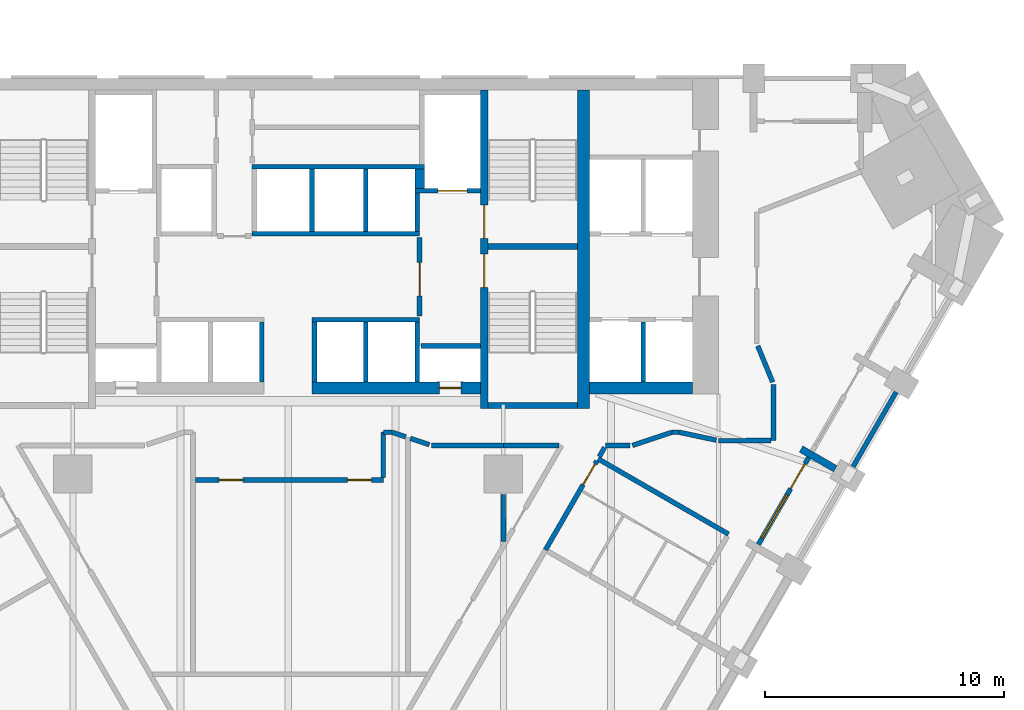
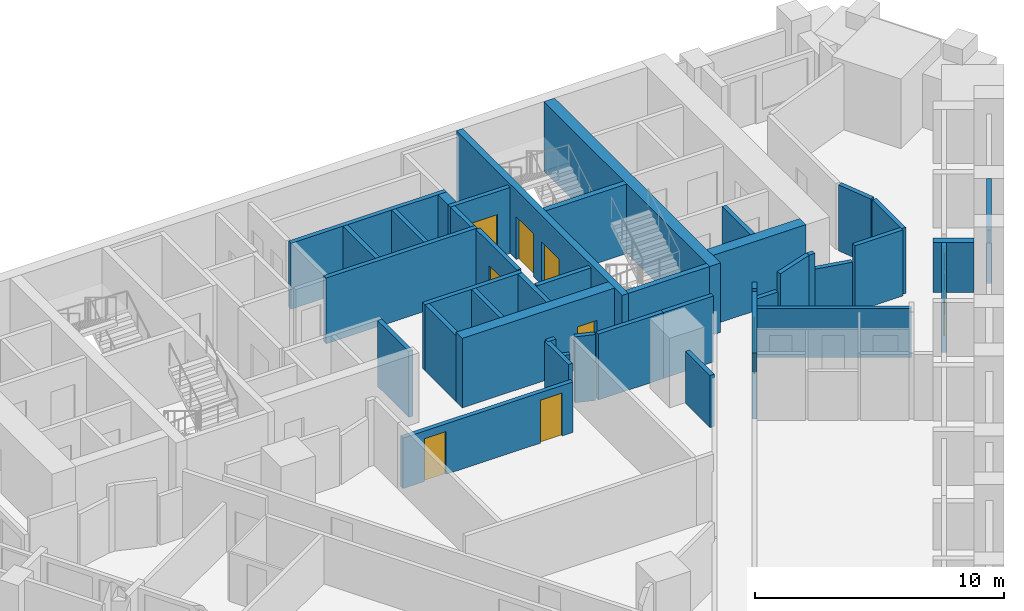
# One storey, part 7 of 10: 42 walls, 9 doors, 1 window, 10 openings.
"""IFC4 building model written with IfcOpenShell, lengths in metres."""

from ifc_helpers import new_model, si_unit, direction, frame, frame_2d, origin, place, context, subcontext, project, spatial, rectangle, extrude, material, layer, layer_set, type_object, element, fill, save


model = new_model("IFC4")

# Units and contexts
model_context = context("Model", 3, precision=1e-05, world=origin(), true_north=direction((0.0, 1.0)))
body_context = subcontext(model_context, "Body", "Model", "MODEL_VIEW")
ifc_project = project(units=[si_unit("LENGTHUNIT", "METRE"), si_unit("AREAUNIT", "SQUARE_METRE"), si_unit("VOLUMEUNIT", "CUBIC_METRE"), si_unit("PLANEANGLEUNIT", "RADIAN"), si_unit("MASSUNIT", "GRAM", prefix="KILO")], contexts=[model_context])

# Site, building, storey
site_placement = place(None, origin())
site = spatial("IfcSite", under=ifc_project, at=site_placement, CompositionType="ELEMENT")
building_placement = place(site_placement, origin())
building = spatial("IfcBuilding", under=site, at=building_placement, Name="Calabash Gate Tower", CompositionType="ELEMENT")
storey_placement = place(building_placement, frame((0.0, 0.0, 63.0)))
storey = spatial("IfcBuildingStorey", under=building, at=storey_placement, Name="L11", CompositionType="ELEMENT", Elevation=63.0)

# Walls
ifc_material_1 = material(Name="Terracotta brick masonry, exposed face", Category="masonry")
ifc_layer_1 = layer(ifc_material_1, 0.300048828125)
ifc_layer_set_1 = layer_set([ifc_layer_1], Name="Brick loggia cheek wall 300")
wall_type_1 = type_object("IfcWallType", Name="Brick loggia cheek wall 300", PredefinedType="SOLIDWALL", material=ifc_layer_set_1)
wall_1_placement = place(storey_placement, frame((22.879638671875, 2.723388671875, 0.0), z_axis=(0.0, 0.0, 1.0), x_axis=(-0.866040211805, 0.499974350878, 0.0)))
element("IfcWall", 1, at=wall_1_placement, inside=storey, type_object=wall_type_1, Name="Loggia cheek S02 SE2.8", PredefinedType="SOLIDWALL", context=body_context, shape_type="SweptSolid", body=[
    extrude(rectangle(XDim=1.64990234375, YDim=0.300048828125, at=frame_2d((0.824951171875, 0.0))), origin(), (0.0, 0.0, 1.0), 2.4501953125),
])
ifc_material_2 = material(Name="Concrete C80/95", Category="concrete")
ifc_layer_2 = layer(ifc_material_2, 0.25)
ifc_layer_set_2 = layer_set([ifc_layer_2], Name="Core wall 250 Concrete C80/95")
wall_type_2 = type_object("IfcWallType", Name="Core wall 250 Concrete C80/95", PredefinedType="SHEAR", material=ifc_layer_set_2)
for number, where, z_axis, x_axis, name in (
    (2, (8.35009765625, 12.027587890625, 0.0), (0.0, 0.0, 1.0), (1.0, 0.0, 0.0), "Core wall Z1-MIDE L11"),
    (3, (8.35009765625, 5.377685546875, 0.0), (0.0, 0.0, 1.0), (1.0, 0.0, 0.0), "Core wall Z1-SSE L11"),
):
    element("IfcWall", number, at=place(storey_placement, frame(where, z_axis=z_axis, x_axis=x_axis)), inside=storey, type_object=wall_type_2, Name=name, PredefinedType="SHEAR", context=body_context, shape_type="SweptSolid", body=[
        extrude(rectangle(XDim=3.75, YDim=0.25, at=frame_2d((1.875, 0.0))), origin(), (0.0, 0.0, 1.0), 3.39990234375),
    ])

# Wall, openings, doors
ifc_material_3 = material(Name="Concrete C80/95", Category="concrete")
ifc_layer_3 = layer(ifc_material_3, 0.300048828125)
ifc_layer_set_3 = layer_set([ifc_layer_3], Name="Core wall 300 Concrete C80/95")
wall_type_3 = type_object("IfcWallType", Name="Core wall 300 Concrete C80/95", PredefinedType="SHEAR", material=ifc_layer_set_3)
wall_2_placement = place(storey_placement, frame((8.199951171875, 5.252685546875, 0.0), z_axis=(0.0, 0.0, 1.0), x_axis=(0.0, 1.0, 0.0)))
wall_2 = element("IfcWall", 4, at=wall_2_placement, inside=storey, type_object=wall_type_3, Name="Core wall Z1-PARTE L11", PredefinedType="SHEAR", context=body_context, shape_type="SweptSolid", body=[
    extrude(rectangle(XDim=13.2998046875, YDim=0.300048828125, at=frame_2d((6.64990234375, 0.0))), origin(), (0.0, 0.0, 1.0), 3.39990234375),
])
opening_1_placement = place(wall_2_placement, frame((7.10009765625, 0.0, 0.0)))
opening_1 = element("IfcOpeningElement", 5, at=opening_1_placement, cuts=wall_2, Name="Opening H2-015", PredefinedType="OPENING", context=body_context, shape_type="SweptSolid", body=[
    extrude(rectangle(XDim=1.39990234375, YDim=2.10009765625, at=frame_2d((0.699951171875, 1.050048828125))), frame((0.0, 0.159912109375, 0.0), z_axis=(0.0, -1.0, 0.0), x_axis=(1.0, 0.0, 0.0)), (0.0, 0.0, 1.0), 0.320068359375),
])
opening_2_placement = place(wall_2_placement, frame((5.050048828125, 0.0, 0.0)))
opening_2 = element("IfcOpeningElement", 6, at=opening_2_placement, cuts=wall_2, Name="Opening H2-016", PredefinedType="OPENING", context=body_context, shape_type="SweptSolid", body=[
    extrude(rectangle(XDim=1.39990234375, YDim=2.10009765625, at=frame_2d((0.699951171875, 1.050048828125))), frame((0.0, 0.159912109375, 0.0), z_axis=(0.0, -1.0, 0.0), x_axis=(1.0, 0.0, 0.0)), (0.0, 0.0, 1.0), 0.320068359375),
])
ifc_material_4 = material(Name="Steel fire door set with fire-resisting glazing", Category="steel")
door_type_1 = type_object("IfcDoorType", Name="Fire door D05 1400x2100 FD90", OperationType="NOTDEFINED", PredefinedType="DOOR", material=ifc_material_4)
door_1_placement = place(opening_1_placement, origin())
door_1 = element("IfcDoor", 7, at=door_1_placement, inside=storey, type_object=door_type_1, Name="Exit stair door ST3", OperationType="SINGLE_SWING_RIGHT", OverallHeight=2.10009765625, OverallWidth=1.39990234375, PredefinedType="DOOR", context=body_context, shape_type="SweptSolid", body=[
    extrude(rectangle(XDim=1.39990234375, YDim=2.10009765625, at=frame_2d((0.699951171875, 1.050048828125))), frame((0.0, 0.02490234375, 0.0), z_axis=(0.0, -1.0, 0.0), x_axis=(1.0, 0.0, 0.0)), (0.0, 0.0, 1.0), 0.050048828125),
])
fill(opening_1, door_1)
door_2_placement = place(opening_2_placement, origin())
door_2 = element("IfcDoor", 8, at=door_2_placement, inside=storey, type_object=door_type_1, Name="Exit stair door ST4", OperationType="SINGLE_SWING_LEFT", OverallHeight=2.10009765625, OverallWidth=1.39990234375, PredefinedType="DOOR", context=body_context, shape_type="SweptSolid", body=[
    extrude(rectangle(XDim=1.39990234375, YDim=2.10009765625, at=frame_2d((0.699951171875, 1.050048828125))), frame((0.0, 0.02490234375, 0.0), z_axis=(0.0, -1.0, 0.0), x_axis=(1.0, 0.0, 0.0)), (0.0, 0.0, 1.0), 0.050048828125),
])
fill(opening_2, door_2)

# Wall
ifc_material_5 = material(Name="Concrete C80/95", Category="concrete")
ifc_layer_4 = layer(ifc_material_5, 0.5)
ifc_layer_set_4 = layer_set([ifc_layer_4], Name="Core wall 500 Concrete C80/95")
wall_type_4 = type_object("IfcWallType", Name="Core wall 500 Concrete C80/95", PredefinedType="SHEAR", material=ifc_layer_set_4)
wall_3_placement = place(storey_placement, frame((12.35009765625, 5.252685546875, 0.0), z_axis=(0.0, 0.0, 1.0), x_axis=(0.0, 1.0, 0.0)))
element("IfcWall", 9, at=wall_3_placement, inside=storey, type_object=wall_type_4, Name="Core wall Z1-COLE L11", PredefinedType="SHEAR", context=body_context, shape_type="SweptSolid", body=[
    extrude(rectangle(XDim=13.2998046875, YDim=0.5, at=frame_2d((6.64990234375, 0.0))), origin(), (0.0, 0.0, 1.0), 3.39990234375),
])

# Wall, opening, door
wall_4_placement = place(storey_placement, frame((1.0, 6.1025390625, 0.0), z_axis=(0.0, 0.0, 1.0), x_axis=(1.0, 0.0, 0.0)))
wall_4 = element("IfcWall", 10, at=wall_4_placement, inside=storey, type_object=wall_type_4, Name="Core wall Z1-SB L11", PredefinedType="SHEAR", context=body_context, shape_type="SweptSolid", body=[
    extrude(rectangle(XDim=7.050048828125, YDim=0.5, at=frame_2d((3.52490234375, 0.0))), origin(), (0.0, 0.0, 1.0), 3.39990234375),
])
opening_3_placement = place(wall_4_placement, frame((5.324951171875, 0.0, 0.0)))
opening_3 = element("IfcOpeningElement", 11, at=opening_3_placement, cuts=wall_4, Name="Opening H2-011", PredefinedType="OPENING", context=body_context, shape_type="SweptSolid", body=[
    extrude(rectangle(XDim=0.89990234375, YDim=2.10009765625, at=frame_2d((0.449951171875, 1.050048828125))), frame((0.0, 0.260009765625, 0.0), z_axis=(0.0, -1.0, 0.0), x_axis=(1.0, 0.0, 0.0)), (0.0, 0.0, 1.0), 0.52001953125),
])
ifc_material_6 = material(Name="Steel fire door set with fire-resisting glazing", Category="steel")
door_type_2 = type_object("IfcDoorType", Name="Fire door D07 900x2100 FD90", OperationType="NOTDEFINED", PredefinedType="DOOR", material=ifc_material_6)
door_3_placement = place(opening_3_placement, origin())
door_3 = element("IfcDoor", 12, at=door_3_placement, inside=storey, type_object=door_type_2, Name="Mechanical Riser E door", OperationType="SINGLE_SWING_RIGHT", OverallHeight=2.10009765625, OverallWidth=0.89990234375, PredefinedType="DOOR", context=body_context, shape_type="SweptSolid", body=[
    extrude(rectangle(XDim=0.89990234375, YDim=2.10009765625, at=frame_2d((0.449951171875, 1.050048828125))), frame((0.0, 0.02490234375, 0.0), z_axis=(0.0, -1.0, 0.0), x_axis=(1.0, 0.0, 0.0)), (0.0, 0.0, 1.0), 0.050048828125),
])
fill(opening_3, door_3)

# Walls
wall_5_placement = place(storey_placement, frame((12.60009765625, 6.1025390625, 0.0), z_axis=(0.0, 0.0, 1.0), x_axis=(1.0, 0.0, 0.0)))
element("IfcWall", 13, at=wall_5_placement, inside=storey, type_object=wall_type_4, Name="Core wall Z1-SE L11", PredefinedType="SHEAR", context=body_context, shape_type="SweptSolid", body=[
    extrude(rectangle(XDim=4.2998046875, YDim=0.5, at=frame_2d((2.14990234375, 0.0))), origin(), (0.0, 0.0, 1.0), 3.39990234375),
])
ifc_material_7 = material(Name="Gypsum board on steel studs, mineral wool", Category="steel")
ifc_layer_5 = layer(ifc_material_7, 0.199951171875)
ifc_layer_set_5 = layer_set([ifc_layer_5], Name="Partition 200 gypsum board EI 60")
wall_type_5 = type_object("IfcWallType", Name="Partition 200 gypsum board EI 60", PredefinedType="PARTITIONING", material=ifc_layer_set_5)
wall_6_placement = place(storey_placement, frame((12.96044921875, 3.138916015625, 0.0), z_axis=(0.0, 0.0, 1.0), x_axis=(0.866164933594, -0.499758249369, 0.0)))
element("IfcWall", 14, at=wall_6_placement, inside=storey, type_object=wall_type_5, Name="Partition", PredefinedType="PARTITIONING", context=body_context, shape_type="SweptSolid", body=[
    extrude(rectangle(XDim=6.2978515625, YDim=0.199951171875, at=frame_2d((3.14892578125, 0.0))), origin(), (0.0, 0.0, 1.0), 2.384033203125),
])
wall_7_placement = place(storey_placement, frame((9.000244140625, 1.64990234375, 0.0), z_axis=(0.0, 0.0, 1.0), x_axis=(0.000747570187, -0.999999720569, 0.0)))
element("IfcWall", 15, at=wall_7_placement, inside=storey, type_object=wall_type_5, Name="Partition", PredefinedType="PARTITIONING", context=body_context, shape_type="SweptSolid", body=[
    extrude(rectangle(XDim=1.95947265625, YDim=0.199951171875, at=frame_2d((0.979736328125, 0.0))), origin(), (0.0, 0.0, 1.0), 2.552001953125),
])

# Wall, openings, doors
wall_8_placement = place(storey_placement, frame((-3.87939453125, 2.25244140625, 0.0), z_axis=(0.0, 0.0, 1.0), x_axis=(1.0, 0.0, 0.0)))
wall_8 = element("IfcWall", 16, at=wall_8_placement, inside=storey, type_object=wall_type_5, Name="Partition", PredefinedType="PARTITIONING", context=body_context, shape_type="SweptSolid", body=[
    extrude(rectangle(XDim=7.859375, YDim=0.199951171875, at=frame_2d((3.9296875, 0.0))), origin(), (0.0, 0.0, 1.0), 2.4736328125),
])
opening_4_placement = place(wall_8_placement, frame((0.9912109375, 0.0, 0.0)))
opening_4 = element("IfcOpeningElement", 17, at=opening_4_placement, cuts=wall_8, Name="Opening 09-11-008", PredefinedType="OPENING", context=body_context, shape_type="SweptSolid", body=[
    extrude(rectangle(XDim=1.0, YDim=2.10009765625, at=frame_2d((0.5, 1.050048828125))), frame((0.0, 0.10986328125, 0.0), z_axis=(0.0, -1.0, 0.0), x_axis=(1.0, 0.0, 0.0)), (0.0, 0.0, 1.0), 0.219970703125),
])
opening_5_placement = place(wall_8_placement, frame((6.36328125, 0.0, 0.0)))
opening_5 = element("IfcOpeningElement", 18, at=opening_5_placement, cuts=wall_8, Name="Opening 09-11-021", PredefinedType="OPENING", context=body_context, shape_type="SweptSolid", body=[
    extrude(rectangle(XDim=1.0, YDim=2.10009765625, at=frame_2d((0.5, 1.050048828125))), frame((0.0, 0.10986328125, 0.0), z_axis=(0.0, -1.0, 0.0), x_axis=(1.0, 0.0, 0.0)), (0.0, 0.0, 1.0), 0.219970703125),
])
ifc_material_8 = material(Name="Steel fire door set with fire-resisting glazing", Category="steel")
door_type_3 = type_object("IfcDoorType", Name="LD2 Meeting room door 1000x2100", OperationType="NOTDEFINED", PredefinedType="DOOR", material=ifc_material_8)
door_4_placement = place(opening_4_placement, origin())
door_4 = element("IfcDoor", 19, at=door_4_placement, inside=storey, type_object=door_type_3, Name="Meeting room door", OperationType="SINGLE_SWING_LEFT", OverallHeight=2.10009765625, OverallWidth=1.0, PredefinedType="DOOR", context=body_context, shape_type="SweptSolid", body=[
    extrude(rectangle(XDim=1.0, YDim=2.10009765625, at=frame_2d((0.5, 1.050048828125))), frame((0.0, 0.02490234375, 0.0), z_axis=(0.0, -1.0, 0.0), x_axis=(1.0, 0.0, 0.0)), (0.0, 0.0, 1.0), 0.050048828125),
])
fill(opening_4, door_4)
door_5_placement = place(opening_5_placement, origin())
door_5 = element("IfcDoor", 20, at=door_5_placement, inside=storey, type_object=door_type_3, Name="Meeting room door", OperationType="SINGLE_SWING_RIGHT", OverallHeight=2.10009765625, OverallWidth=1.0, PredefinedType="DOOR", context=body_context, shape_type="SweptSolid", body=[
    extrude(rectangle(XDim=1.0, YDim=2.10009765625, at=frame_2d((0.5, 1.050048828125))), frame((0.0, 0.02490234375, 0.0), z_axis=(0.0, -1.0, 0.0), x_axis=(1.0, 0.0, 0.0)), (0.0, 0.0, 1.0), 0.050048828125),
])
fill(opening_5, door_5)

# Wall, opening, door
wall_9_placement = place(storey_placement, frame((10.76123046875, -0.670166015625, 0.0), z_axis=(0.0, 0.0, 1.0), x_axis=(0.499981388828, 0.866036148683, 0.0)))
wall_9 = element("IfcWall", 21, at=wall_9_placement, inside=storey, type_object=wall_type_5, Name="Partition", PredefinedType="PARTITIONING", context=body_context, shape_type="SweptSolid", body=[
    extrude(rectangle(XDim=4.298583984375, YDim=0.199951171875, at=frame_2d((2.1494140625, 0.0))), origin(), (0.0, 0.0, 1.0), 3.22998046875),
])
opening_6_placement = place(wall_9_placement, frame((3.14990234375, 0.0, 0.0)))
opening_6 = element("IfcOpeningElement", 22, at=opening_6_placement, cuts=wall_9, Name="Opening 09-11-012", PredefinedType="OPENING", context=body_context, shape_type="SweptSolid", body=[
    extrude(rectangle(XDim=1.0, YDim=2.10009765625, at=frame_2d((0.5, 1.050048828125))), frame((0.0, 0.10986328125, 0.0), z_axis=(0.0, -1.0, 0.0), x_axis=(1.0, 0.0, 0.0)), (0.0, 0.0, 1.0), 0.219970703125),
])
ifc_material_9 = material(Name="Steel fire door set with fire-resisting glazing", Category="steel")
door_type_4 = type_object("IfcDoorType", Name="WD3 WC lobby door 1000x2100", OperationType="NOTDEFINED", PredefinedType="DOOR", material=ifc_material_9)
door_6_placement = place(opening_6_placement, origin())
door_6 = element("IfcDoor", 23, at=door_6_placement, inside=storey, type_object=door_type_4, Name="WC lobby door", OperationType="SINGLE_SWING_LEFT", OverallHeight=2.10009765625, OverallWidth=1.0, PredefinedType="DOOR", context=body_context, shape_type="SweptSolid", body=[
    extrude(rectangle(XDim=1.0, YDim=2.10009765625, at=frame_2d((0.5, 1.050048828125))), frame((0.0, 0.02490234375, 0.0), z_axis=(0.0, -1.0, 0.0), x_axis=(1.0, 0.0, 0.0)), (0.0, 0.0, 1.0), 0.050048828125),
])
fill(opening_6, door_6)

# Walls
wall_10_placement = place(storey_placement, frame((13.010009765625, 3.228271484375, 0.0), z_axis=(0.0, 0.0, 1.0), x_axis=(0.500689591902, 0.865626901477, 0.0)))
element("IfcWall", 24, at=wall_10_placement, inside=storey, type_object=wall_type_5, Name="Partition", PredefinedType="PARTITIONING", context=body_context, shape_type="SweptSolid", body=[
    extrude(rectangle(XDim=0.444091796875, YDim=0.199951171875, at=frame_2d((0.22216796875, 0.0))), origin(), (0.0, 0.0, 1.0), 3.22998046875),
])
wall_11_placement = place(storey_placement, frame((6.0, 3.69970703125, 0.0), z_axis=(0.0, 0.0, 1.0), x_axis=(0.999999837743, -0.000569661366, 0.0)))
element("IfcWall", 25, at=wall_11_placement, inside=storey, type_object=wall_type_5, Name="Partition", PredefinedType="PARTITIONING", context=body_context, shape_type="SweptSolid", body=[
    extrude(rectangle(XDim=3.0, YDim=0.199951171875, at=frame_2d((1.5, 0.0))), origin(), (0.0, 0.0, 1.0), 3.22998046875),
])
wall_12_placement = place(storey_placement, frame((9.000244140625, 3.697998046875, 0.0), z_axis=(0.0, 0.0, 1.0), x_axis=(0.999999731873, 0.000732293977, 0.0)))
element("IfcWall", 26, at=wall_12_placement, inside=storey, type_object=wall_type_5, Name="Partition", PredefinedType="PARTITIONING", context=body_context, shape_type="SweptSolid", body=[
    extrude(rectangle(XDim=2.333740234375, YDim=0.199951171875, at=frame_2d((1.1669921875, 0.0))), origin(), (0.0, 0.0, 1.0), 3.22998046875),
])
wall_13_placement = place(storey_placement, frame((13.2822265625, 3.699462890625, 0.0), z_axis=(0.0, 0.0, 1.0), x_axis=(1.0, 0.0, 0.0)))
element("IfcWall", 27, at=wall_13_placement, inside=storey, type_object=wall_type_5, Name="Partition", PredefinedType="PARTITIONING", context=body_context, shape_type="SweptSolid", body=[
    extrude(rectangle(XDim=1.017822265625, YDim=0.199951171875, at=frame_2d((0.5087890625, 0.0))), origin(), (0.0, 0.0, 1.0), 2.384033203125),
])
wall_14_placement = place(storey_placement, frame((14.400146484375, 3.699462890625, 0.0), z_axis=(0.0, 0.0, 1.0), x_axis=(0.948655351627, 0.316311592943, 0.0)))
element("IfcWall", 28, at=wall_14_placement, inside=storey, type_object=wall_type_5, Name="Partition", PredefinedType="PARTITIONING", context=body_context, shape_type="SweptSolid", body=[
    extrude(rectangle(XDim=1.747314453125, YDim=0.199951171875, at=frame_2d((0.87353515625, 0.0))), origin(), (0.0, 0.0, 1.0), 3.22998046875),
])
wall_15_placement = place(storey_placement, frame((5.109130859375, 3.9951171875, 0.0), z_axis=(0.0, 0.0, 1.0), x_axis=(0.949177105593, -0.314742469677, 0.0)))
element("IfcWall", 29, at=wall_15_placement, inside=storey, type_object=wall_type_5, Name="Partition", PredefinedType="PARTITIONING", context=body_context, shape_type="SweptSolid", body=[
    extrude(rectangle(XDim=0.838623046875, YDim=0.199951171875, at=frame_2d((0.41943359375, 0.0))), origin(), (0.0, 0.0, 1.0), 3.22998046875),
])
wall_16_placement = place(storey_placement, frame((18.0, 3.8994140625, 0.0), z_axis=(0.0, 0.0, 1.0), x_axis=(0.999999975374, 0.000221926315, 0.0)))
element("IfcWall", 30, at=wall_16_placement, inside=storey, type_object=wall_type_5, Name="Partition", PredefinedType="PARTITIONING", context=body_context, shape_type="SweptSolid", body=[
    extrude(rectangle(XDim=2.2001953125, YDim=0.199951171875, at=frame_2d((1.10009765625, 0.0))), origin(), (0.0, 0.0, 1.0), 3.22998046875),
])
wall_17_placement = place(storey_placement, frame((20.30029296875, 3.89990234375, 0.0), z_axis=(0.0, 0.0, 1.0), x_axis=(0.000103766732, 0.999999994616, 0.0)))
element("IfcWall", 31, at=wall_17_placement, inside=storey, type_object=wall_type_5, Name="Partition", PredefinedType="PARTITIONING", context=body_context, shape_type="SweptSolid", body=[
    extrude(rectangle(XDim=2.352783203125, YDim=0.199951171875, at=frame_2d((1.17626953125, 0.0))), origin(), (0.0, 0.0, 1.0), 3.22998046875),
])
wall_18_placement = place(storey_placement, frame((4.34228515625, 4.25244140625, 0.0), z_axis=(0.0, 0.0, 1.0), x_axis=(0.947797186495, -0.318873788939, 0.0)))
element("IfcWall", 32, at=wall_18_placement, inside=storey, type_object=wall_type_5, Name="Partition", PredefinedType="PARTITIONING", context=body_context, shape_type="SweptSolid", body=[
    extrude(rectangle(XDim=0.608642578125, YDim=0.199951171875, at=frame_2d((0.30419921875, 0.0))), origin(), (0.0, 0.0, 1.0), 2.384033203125),
])
wall_19_placement = place(storey_placement, frame((3.980224609375, 2.352294921875, 0.0), z_axis=(0.0, 0.0, 1.0), x_axis=(0.000900321179, 0.999999594711, 0.0)))
element("IfcWall", 33, at=wall_19_placement, inside=storey, type_object=wall_type_5, Name="Partition", PredefinedType="PARTITIONING", context=body_context, shape_type="SweptSolid", body=[
    extrude(rectangle(XDim=1.898193359375, YDim=0.199951171875, at=frame_2d((0.94921875, 0.0))), origin(), (0.0, 0.0, 1.0), 3.22998046875),
])
wall_20_placement = place(storey_placement, frame((3.98193359375, 4.25048828125, 0.0), z_axis=(0.0, 0.0, 1.0), x_axis=(0.99998531183, 0.00541997459, 0.0)))
element("IfcWall", 34, at=wall_20_placement, inside=storey, type_object=wall_type_5, Name="Partition", PredefinedType="PARTITIONING", context=body_context, shape_type="SweptSolid", body=[
    extrude(rectangle(XDim=0.3603515625, YDim=0.199951171875, at=frame_2d((0.18017578125, 0.0))), origin(), (0.0, 0.0, 1.0), 3.22998046875),
])
wall_21_placement = place(storey_placement, frame((16.057861328125, 4.252197265625, 0.0), z_axis=(0.0, 0.0, 1.0), x_axis=(1.0, 0.0, 0.0)))
element("IfcWall", 35, at=wall_21_placement, inside=storey, type_object=wall_type_5, Name="Partition", PredefinedType="PARTITIONING", context=body_context, shape_type="SweptSolid", body=[
    extrude(rectangle(XDim=0.284423828125, YDim=0.199951171875, at=frame_2d((0.14208984375, 0.0))), origin(), (0.0, 0.0, 1.0), 3.22998046875),
])
wall_22_placement = place(storey_placement, frame((16.34228515625, 4.252197265625, 0.0), z_axis=(0.0, 0.0, 1.0), x_axis=(0.978117199083, -0.208054667953, 0.0)))
element("IfcWall", 36, at=wall_22_placement, inside=storey, type_object=wall_type_5, Name="Partition", PredefinedType="PARTITIONING", context=body_context, shape_type="SweptSolid", body=[
    extrude(rectangle(XDim=1.5947265625, YDim=0.199951171875, at=frame_2d((0.79736328125, 0.0))), origin(), (0.0, 0.0, 1.0), 2.4501953125),
])
wall_23_placement = place(storey_placement, frame((19.638671875, 7.860107421875, 0.0), z_axis=(0.0, 0.0, 1.0), x_axis=(0.380749805254, -0.924678098475, 0.0)))
element("IfcWall", 37, at=wall_23_placement, inside=storey, type_object=wall_type_5, Name="Partition", PredefinedType="PARTITIONING", context=body_context, shape_type="SweptSolid", body=[
    extrude(rectangle(XDim=1.63818359375, YDim=0.199951171875, at=frame_2d((0.819091796875, 0.0))), origin(), (0.0, 0.0, 1.0), 3.22998046875),
])
ifc_material_10 = material(Name="Concrete C40/50", Category="concrete")
ifc_layer_6 = layer(ifc_material_10, 0.199951171875)
ifc_layer_set_6 = layer_set([ifc_layer_6], Name="Shaft wall 200 Concrete C40/50")
wall_type_6 = type_object("IfcWallType", Name="Shaft wall 200 Concrete C40/50", PredefinedType="SOLIDWALL", material=ifc_layer_set_6)
for number, where, z_axis, x_axis, name in (
    (38, (-1.10009765625, 6.3525390625, 0.0), (0.0, 0.0, 1.0), (0.0, 1.0, 0.0), "Shaft wall"),
    (39, (1.10009765625, 6.3525390625, 0.0), (0.0, 0.0, 1.0), (0.0, 1.0, 0.0), "Shaft wall"),
    (40, (3.25, 6.3525390625, 0.0), (0.0, 0.0, 1.0), (0.0, 1.0, 0.0), "Shaft wall"),
    (41, (5.39990234375, 6.3525390625, 0.0), (0.0, 0.0, 1.0), (0.0, 1.0, 0.0), "Shaft wall"),
    (42, (14.85009765625, 6.3525390625, 0.0), (0.0, 0.0, 1.0), (0.0, 1.0, 0.0), "Shaft wall"),
    (43, (5.550048828125, 7.8525390625, 0.0), (0.0, 0.0, 1.0), (1.0, 0.0, 0.0), "Shaft wall"),
):
    element("IfcWall", number, at=place(storey_placement, frame(where, z_axis=z_axis, x_axis=x_axis)), inside=storey, type_object=wall_type_6, Name=name, PredefinedType="SOLIDWALL", context=body_context, shape_type="SweptSolid", body=[
        extrude(rectangle(XDim=2.5, YDim=0.199951171875, at=frame_2d((1.25, 0.0))), origin(), (0.0, 0.0, 1.0), 3.22998046875),
    ])
wall_24_placement = place(storey_placement, frame((1.0, 8.95263671875, 0.0), z_axis=(0.0, 0.0, 1.0), x_axis=(1.0, 0.0, 0.0)))
element("IfcWall", 44, at=wall_24_placement, inside=storey, type_object=wall_type_6, Name="Shaft wall", PredefinedType="SOLIDWALL", context=body_context, shape_type="SweptSolid", body=[
    extrude(rectangle(XDim=4.5, YDim=0.199951171875, at=frame_2d((2.25, 0.0))), origin(), (0.0, 0.0, 1.0), 3.22998046875),
])

# Wall, opening, door
wall_25_placement = place(storey_placement, frame((5.5, 9.1025390625, 0.0), z_axis=(0.0, 0.0, 1.0), x_axis=(0.0, 1.0, 0.0)))
wall_25 = element("IfcWall", 45, at=wall_25_placement, inside=storey, type_object=wall_type_6, Name="Shaft wall", PredefinedType="SOLIDWALL", context=body_context, shape_type="SweptSolid", body=[
    extrude(rectangle(XDim=3.300048828125, YDim=0.199951171875, at=frame_2d((1.64990234375, 0.0))), origin(), (0.0, 0.0, 1.0), 3.22998046875),
])
opening_7_placement = place(wall_25_placement, frame((0.85009765625, 0.0, 0.0)))
opening_7 = element("IfcOpeningElement", 46, at=opening_7_placement, cuts=wall_25, Name="Opening H2-006", PredefinedType="OPENING", context=body_context, shape_type="SweptSolid", body=[
    extrude(rectangle(XDim=1.39990234375, YDim=2.10009765625, at=frame_2d((0.699951171875, 1.050048828125))), frame((0.0, 0.10986328125, 0.0), z_axis=(0.0, -1.0, 0.0), x_axis=(1.0, 0.0, 0.0)), (0.0, 0.0, 1.0), 0.219970703125),
])
door_7_placement = place(opening_7_placement, origin())
door_7 = element("IfcDoor", 47, at=door_7_placement, inside=storey, type_object=door_type_1, Name="Firefighting Lobby E door", OperationType="SINGLE_SWING_LEFT", OverallHeight=2.10009765625, OverallWidth=1.39990234375, PredefinedType="DOOR", context=body_context, shape_type="SweptSolid", body=[
    extrude(rectangle(XDim=1.39990234375, YDim=2.10009765625, at=frame_2d((0.699951171875, 1.050048828125))), frame((0.0, 0.02490234375, 0.0), z_axis=(0.0, -1.0, 0.0), x_axis=(1.0, 0.0, 0.0)), (0.0, 0.0, 1.0), 0.050048828125),
])
fill(opening_7, door_7)

# Walls
wall_26_placement = place(storey_placement, frame((-1.5, 12.552490234375, 0.0), z_axis=(0.0, 0.0, 1.0), x_axis=(1.0, 0.0, 0.0)))
element("IfcWall", 48, at=wall_26_placement, inside=storey, type_object=wall_type_6, Name="Shaft wall", PredefinedType="SOLIDWALL", context=body_context, shape_type="SweptSolid", body=[
    extrude(rectangle(XDim=7.0, YDim=0.199951171875, at=frame_2d((3.5, 0.0))), origin(), (0.0, 0.0, 1.0), 3.22998046875),
])
for number, where, z_axis, x_axis, name in (
    (49, (1.0, 12.652587890625, 0.0), (0.0, 0.0, 1.0), (0.0, 1.0, 0.0), "Shaft wall"),
    (50, (3.25, 12.652587890625, 0.0), (0.0, 0.0, 1.0), (0.0, 1.0, 0.0), "Shaft wall"),
):
    element("IfcWall", number, at=place(storey_placement, frame(where, z_axis=z_axis, x_axis=x_axis)), inside=storey, type_object=wall_type_6, Name=name, PredefinedType="SOLIDWALL", context=body_context, shape_type="SweptSolid", body=[
        extrude(rectangle(XDim=2.60009765625, YDim=0.199951171875, at=frame_2d((1.300048828125, 0.0))), origin(), (0.0, 0.0, 1.0), 3.22998046875),
    ])
wall_27_placement = place(storey_placement, frame((5.39990234375, 12.652587890625, 0.0), z_axis=(0.0, 0.0, 1.0), x_axis=(0.0, 1.0, 0.0)))
element("IfcWall", 51, at=wall_27_placement, inside=storey, type_object=wall_type_6, Name="Shaft wall", PredefinedType="SOLIDWALL", context=body_context, shape_type="SweptSolid", body=[
    extrude(rectangle(XDim=1.60009765625, YDim=0.199951171875, at=frame_2d((0.800048828125, 0.0))), origin(), (0.0, 0.0, 1.0), 3.22998046875),
])

# Wall, opening, door
wall_28_placement = place(storey_placement, frame((5.300048828125, 14.3525390625, 0.0), z_axis=(0.0, 0.0, 1.0), x_axis=(1.0, 0.0, 0.0)))
wall_28 = element("IfcWall", 52, at=wall_28_placement, inside=storey, type_object=wall_type_6, Name="Shaft wall", PredefinedType="SOLIDWALL", context=body_context, shape_type="SweptSolid", body=[
    extrude(rectangle(XDim=2.75, YDim=0.199951171875, at=frame_2d((1.375, 0.0))), origin(), (0.0, 0.0, 1.0), 3.22998046875),
])
opening_8_placement = place(wall_28_placement, frame((0.97509765625, 0.0, 0.0)))
opening_8 = element("IfcOpeningElement", 53, at=opening_8_placement, cuts=wall_28, Name="Opening LD-FF2", PredefinedType="OPENING", context=body_context, shape_type="SweptSolid", body=[
    extrude(rectangle(XDim=1.199951171875, YDim=2.10009765625, at=frame_2d((0.60009765625, 1.050048828125))), frame((0.0, 0.10986328125, 0.0), z_axis=(0.0, -1.0, 0.0), x_axis=(1.0, 0.0, 0.0)), (0.0, 0.0, 1.0), 0.219970703125),
])
ifc_material_11 = material(Name="Stainless steel sliding door leaves", Category="steel")
door_type_5 = type_object("IfcDoorType", Name="Lift landing door LS3 1200x2100 FD90", OperationType="DOUBLE_DOOR_SLIDING", PredefinedType="DOOR", material=ifc_material_11)
door_8_placement = place(opening_8_placement, origin())
door_8 = element("IfcDoor", 54, at=door_8_placement, inside=storey, type_object=door_type_5, Name="Lift landing door FF2", OperationType="DOUBLE_DOOR_SLIDING", OverallHeight=2.10009765625, OverallWidth=1.199951171875, PredefinedType="DOOR", context=body_context, shape_type="SweptSolid", body=[
    extrude(rectangle(XDim=1.199951171875, YDim=2.10009765625, at=frame_2d((0.60009765625, 1.050048828125))), frame((0.0, 0.02490234375, 0.0), z_axis=(0.0, -1.0, 0.0), x_axis=(1.0, 0.0, 0.0)), (0.0, 0.0, 1.0), 0.050048828125),
])
fill(opening_8, door_8)

# Walls
wall_29_placement = place(storey_placement, frame((5.5, 14.45263671875, 0.0), z_axis=(0.0, 0.0, 1.0), x_axis=(0.0, 1.0, 0.0)))
element("IfcWall", 55, at=wall_29_placement, inside=storey, type_object=wall_type_6, Name="Shaft wall", PredefinedType="SOLIDWALL", context=body_context, shape_type="SweptSolid", body=[
    extrude(rectangle(XDim=0.800048828125, YDim=0.39990234375, at=frame_2d((0.39990234375, 0.0))), origin(), (0.0, 0.0, 1.0), 3.22998046875),
])
wall_30_placement = place(storey_placement, frame((-1.5, 15.3525390625, 0.0), z_axis=(0.0, 0.0, 1.0), x_axis=(1.0, 0.0, 0.0)))
element("IfcWall", 56, at=wall_30_placement, inside=storey, type_object=wall_type_6, Name="Shaft wall", PredefinedType="SOLIDWALL", context=body_context, shape_type="SweptSolid", body=[
    extrude(rectangle(XDim=7.199951171875, YDim=0.199951171875, at=frame_2d((3.60009765625, 0.0))), origin(), (0.0, 0.0, 1.0), 3.22998046875),
])
ifc_material_12 = material(Name="Terracotta brick masonry, perforated", Category="masonry")
ifc_layer_7 = layer(ifc_material_12, 0.199951171875)
ifc_layer_set_7 = layer_set([ifc_layer_7], Name="Terracotta jaali screen B")
wall_type_7 = type_object("IfcWallType", Name="Terracotta jaali screen B", PredefinedType="SOLIDWALL", material=ifc_layer_set_7)
wall_31_placement = place(storey_placement, frame((23.624267578125, 2.813232421875, 0.0), z_axis=(0.0, 0.0, 1.0), x_axis=(0.499961193289, 0.866047807691, 0.0)))
element("IfcWall", 57, at=wall_31_placement, inside=storey, type_object=wall_type_7, Name="SCREEN B S02 SE2.9", PredefinedType="SOLIDWALL", context=body_context, shape_type="SweptSolid", body=[
    extrude(rectangle(XDim=3.599853515625, YDim=0.199951171875, at=frame_2d((1.7998046875, 0.0))), origin(), (0.0, 0.0, 1.0), 2.6298828125),
])

# Wall, openings, door, window
ifc_material_13 = material(Name="Aluminium framed window wall with insulated spandrel", Category="aluminium")
ifc_layer_8 = layer(ifc_material_13, 0.199951171875)
ifc_layer_set_8 = layer_set([ifc_layer_8], Name="Window wall 200")
wall_type_8 = type_object("IfcWallType", Name="Window wall 200", PredefinedType="ELEMENTEDWALL", material=ifc_layer_set_8)
wall_32_placement = place(storey_placement, frame((19.665283203125, -0.44384765625, 0.0), z_axis=(0.0, 0.0, 1.0), x_axis=(0.500002543286, 0.866023935413, 0.0)))
wall_32 = element("IfcWall", 58, at=wall_32_placement, inside=storey, type_object=wall_type_8, Name="Window wall S02 SE2.8", PredefinedType="ELEMENTEDWALL", context=body_context, shape_type="SweptSolid", body=[
    extrude(rectangle(XDim=4.2001953125, YDim=0.199951171875, at=frame_2d((2.10009765625, 0.0))), origin(), (0.0, 0.0, 1.0), 2.4501953125),
])
opening_9_placement = place(wall_32_placement, frame((0.300048828125, 0.0, 0.60009765625)))
opening_9 = element("IfcOpeningElement", 59, at=opening_9_placement, cuts=wall_32, Name="Opening HW1L-1750", PredefinedType="OPENING", context=body_context, shape_type="SweptSolid", body=[
    extrude(rectangle(XDim=2.10009765625, YDim=1.75, at=frame_2d((1.050048828125, 0.875))), frame((0.0, 0.10986328125, 0.0), z_axis=(0.0, -1.0, 0.0), x_axis=(1.0, 0.0, 0.0)), (0.0, 0.0, 1.0), 0.219970703125),
])
opening_10_placement = place(wall_32_placement, frame((2.699951171875, 0.0, 0.0)))
opening_10 = element("IfcOpeningElement", 60, at=opening_10_placement, cuts=wall_32, Name="Opening H2-020", PredefinedType="OPENING", context=body_context, shape_type="SweptSolid", body=[
    extrude(rectangle(XDim=1.199951171875, YDim=2.35009765625, at=frame_2d((0.60009765625, 1.175048828125))), frame((0.0, 0.10986328125, 0.0), z_axis=(0.0, -1.0, 0.0), x_axis=(1.0, 0.0, 0.0)), (0.0, 0.0, 1.0), 0.219970703125),
])
ifc_material_14 = material(Name="Anodised aluminium frame, bronze finish, impact-rated laminated clear glazing", Category="aluminium")
door_type_6 = type_object("IfcDoorType", Name="Loggia door DH1L-2350 1200x2350", OperationType="SLIDING_TO_LEFT", PredefinedType="DOOR", material=ifc_material_14)
door_9_placement = place(opening_10_placement, origin())
door_9 = element("IfcDoor", 61, at=door_9_placement, inside=storey, type_object=door_type_6, Name="Loggia door S02 SE2.8", OperationType="SINGLE_SWING_LEFT", OverallHeight=2.35009765625, OverallWidth=1.199951171875, PredefinedType="DOOR", context=body_context, shape_type="SweptSolid", body=[
    extrude(rectangle(XDim=1.199951171875, YDim=2.35009765625, at=frame_2d((0.60009765625, 1.175048828125))), frame((0.0, 0.02490234375, 0.0), z_axis=(0.0, -1.0, 0.0), x_axis=(1.0, 0.0, 0.0)), (0.0, 0.0, 1.0), 0.050048828125),
])
fill(opening_10, door_9)
ifc_material_15 = material(Name="Anodised aluminium frame, bronze finish, impact-rated laminated clear glazing", Category="aluminium")
window_type = type_object("IfcWindowType", Name="Window HW1L 2100x1750", PartitioningType="DOUBLE_PANEL_VERTICAL", PredefinedType="WINDOW", material=ifc_material_15)
window_placement = place(opening_9_placement, origin())
window = element("IfcWindow", 62, at=window_placement, inside=storey, type_object=window_type, Name="Window HW1 S02 SE2.8", OverallHeight=1.75, OverallWidth=2.10009765625, PartitioningType="SINGLE_PANEL", PredefinedType="WINDOW", context=body_context, shape_type="SweptSolid", body=[
    extrude(rectangle(XDim=2.10009765625, YDim=1.75, at=frame_2d((1.050048828125, 0.875))), frame((0.0, 0.030029296875, 0.0), z_axis=(0.0, -1.0, 0.0), x_axis=(1.0, 0.0, 0.0)), (0.0, 0.0, 1.0), 0.06005859375),
])
fill(opening_9, window)

save(model, "model.ifc")
